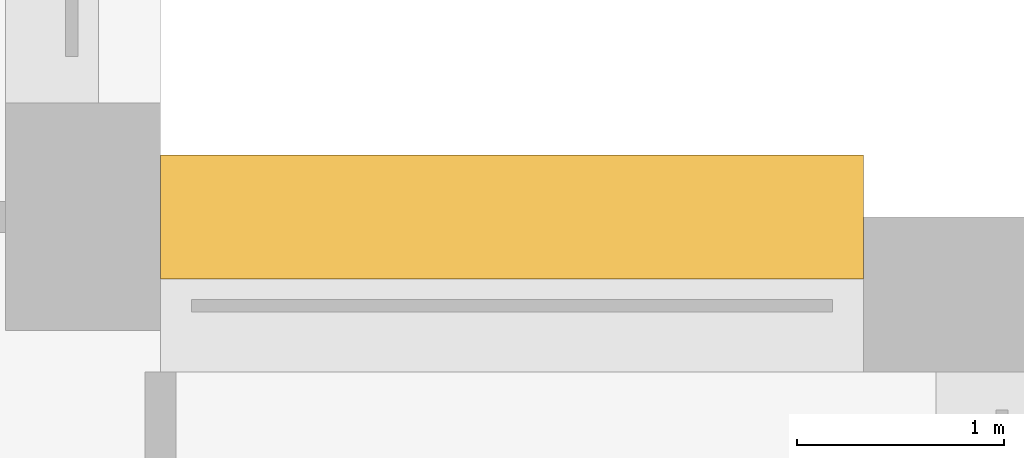
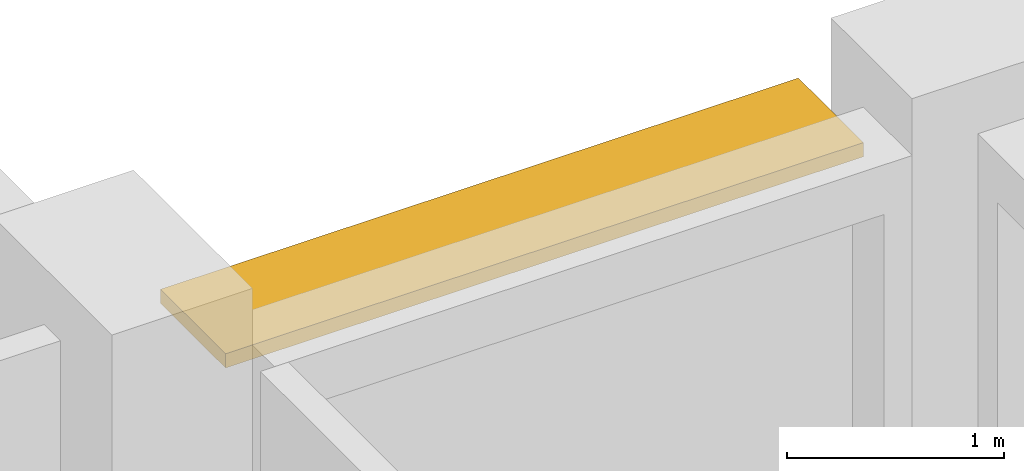
# One storey, part 17 of 17: 1 shading device.
"""IFC4 building model written with IfcOpenShell, lengths in metres."""

from ifc_helpers import new_model, si_unit, direction, frame, origin, origin_2d, place, context, subcontext, project, spatial, rectangle, extrude, material, layer, layer_set, type_object, element, save


model = new_model("IFC4")

# Units and contexts
model_context = context("Model", 3, precision=1e-05, world=origin(), true_north=direction((0.0, 1.0)))
body_context = subcontext(model_context, "Body", "Model", "MODEL_VIEW")
ifc_project = project(units=[si_unit("LENGTHUNIT", "METRE"), si_unit("AREAUNIT", "SQUARE_METRE"), si_unit("VOLUMEUNIT", "CUBIC_METRE"), si_unit("PLANEANGLEUNIT", "RADIAN"), si_unit("MASSUNIT", "GRAM", prefix="KILO")], contexts=[model_context])

# Site, building, storey
site_placement = place(None, origin())
site = spatial("IfcSite", under=ifc_project, at=site_placement, CompositionType="ELEMENT")
building_placement = place(site_placement, origin())
building = spatial("IfcBuilding", under=site, at=building_placement, Name="Brigalow Station Residences", CompositionType="ELEMENT")
storey_placement = place(building_placement, frame((0.0, 0.0, 96.14990234375)))
storey = spatial("IfcBuildingStorey", under=building, at=storey_placement, Name="L27", CompositionType="ELEMENT", Elevation=96.14990234375)

# Shading device
ifc_material = material(Name="Powder-coated extruded aluminium blade", Category="aluminium")
ifc_layer = layer(ifc_material, 0.080078125)
ifc_layer_set = layer_set([ifc_layer], Name="SUNSHADE BLADE 600x80")
shading_device_type = type_object("IfcShadingDeviceType", Name="SUNSHADE BLADE 600x80", PredefinedType="JALOUSIE", material=ifc_layer_set)
shading_device_placement = place(storey_placement, frame((73.699951171875, 41.0, 2.550048828125), z_axis=(0.0, 0.0, 1.0), x_axis=(-1.0, 0.0, 0.0)))
element("IfcShadingDevice", 1, at=shading_device_placement, inside=storey, type_object=shading_device_type, Name="L27/blade/W-L27-21", PredefinedType="JALOUSIE", context=body_context, shape_type="SweptSolid", body=[
    extrude(rectangle(XDim=3.39990234375, YDim=0.60009765625, at=origin_2d()), origin(), (0.0, 0.0, 1.0), 0.080078125),
])

save(model, "model.ifc")
